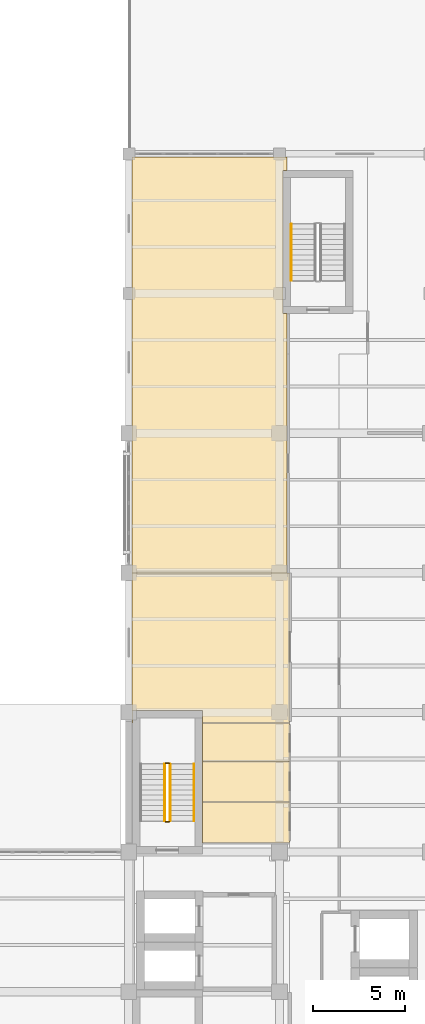
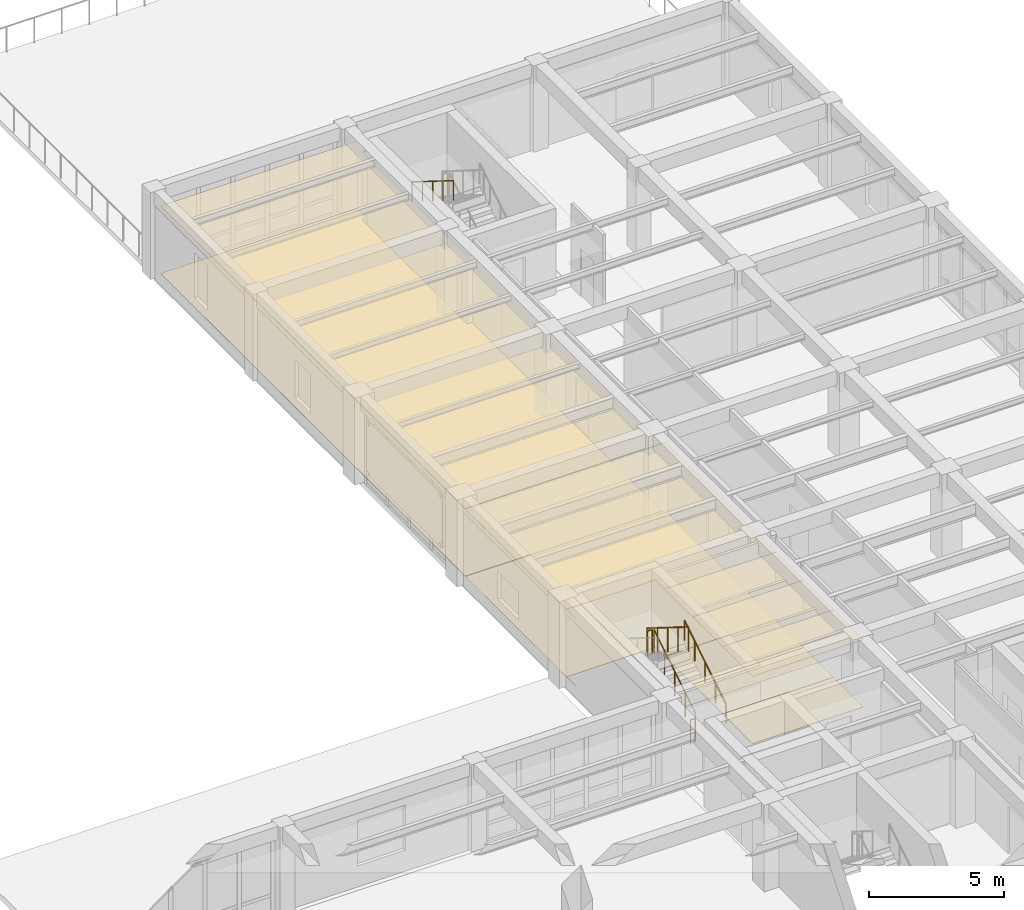
# One storey, part 20 of 22: 10 coverings, 6 railings.
"""IFC4 building model written with IfcOpenShell, lengths in metres."""

from ifc_helpers import new_model, si_unit, direction, frame, origin, origin_2d, place, context, subcontext, project, spatial, polyline, circle, outline, extrude, material, layer, layer_set, type_object, element, save


model = new_model("IFC4")

# Units and contexts
model_context = context("Model", 3, precision=1e-05, world=origin(), true_north=direction((0.0, 1.0)))
body_context = subcontext(model_context, "Body", "Model", "MODEL_VIEW")
ifc_project = project(units=[si_unit("LENGTHUNIT", "METRE"), si_unit("AREAUNIT", "SQUARE_METRE"), si_unit("VOLUMEUNIT", "CUBIC_METRE"), si_unit("PLANEANGLEUNIT", "RADIAN"), si_unit("MASSUNIT", "GRAM", prefix="KILO")], contexts=[model_context])

# Site, building, storey
site_placement = place(None, origin())
site = spatial("IfcSite", under=ifc_project, at=site_placement, CompositionType="ELEMENT")
building_placement = place(site_placement, origin())
building = spatial("IfcBuilding", under=site, at=building_placement, Name="Qandaris Square Conservatory and Botanical Centre", CompositionType="ELEMENT")
storey_placement = place(building_placement, frame((0.0, 0.0, 19.800048828125)))
storey = spatial("IfcBuildingStorey", under=building, at=storey_placement, Name="L04", CompositionType="ELEMENT", Elevation=19.800048828125)

# Coverings
ifc_material_1 = material(Name="Honed Qatari Limestone", Category="masonry")
ifc_layer_1 = layer(ifc_material_1, 0.030029296875)
ifc_layer_set_1 = layer_set([ifc_layer_1], Name="Honed Qatari Limestone")
covering_type_1 = type_object("IfcCoveringType", Name="Honed Qatari Limestone Concourse Paving", PredefinedType="FLOORING", material=ifc_layer_set_1)
covering_1_placement = place(storey_placement, origin())
element("IfcCovering", 1, at=covering_1_placement, inside=storey, type_object=covering_type_1, Name="Spore Viability Collaborative Seminar Room Flooring", PredefinedType="FLOORING", context=body_context, shape_type="SweptSolid", body=[
    extrude(outline(polyline([(147.800048828125, 76.5), (147.60009765625, 76.5), (147.60009765625, 68.699951171875), (147.800048828125, 68.699951171875), (147.800048828125, 54.60009765625), (139.3798828125, 54.60009765625), (139.3798828125, 77.219970703125), (147.800048828125, 77.219970703125), (147.800048828125, 76.5)])), origin(), (0.0, 0.0, 1.0), 0.030029296875),
])
ifc_material_2 = material(Name="Gypsum Plasterboard", Category="gypsum")
ifc_layer_2 = layer(ifc_material_2, 0.02490234375)
ifc_layer_set_2 = layer_set([ifc_layer_2], Name="Gypsum Plasterboard")
covering_type_2 = type_object("IfcCoveringType", Name="Perforated Acoustic Lab Ceiling Tile", PredefinedType="CEILING", material=ifc_layer_set_2)
covering_2_placement = place(storey_placement, frame((0.0, 0.0, 3.050048828125)))
element("IfcCovering", 2, at=covering_2_placement, inside=storey, type_object=covering_type_2, Name="Accessible Toilet L04 Ceiling", PredefinedType="CEILING", context=body_context, shape_type="SweptSolid", body=[
    extrude(outline(polyline([(147.949951171875, 42.1201171875), (147.949951171875, 39.89990234375), (143.199951171875, 39.89990234375), (143.199951171875, 42.1201171875), (147.949951171875, 42.1201171875)])), origin(), (0.0, 0.0, 1.0), 0.02490234375),
])
covering_3_placement = place(storey_placement, frame((0.0, 0.0, 3.050048828125)))
element("IfcCovering", 3, at=covering_3_placement, inside=storey, type_object=covering_type_2, Name="Staff Male Toilet L04 Ceiling", PredefinedType="CEILING", context=body_context, shape_type="SweptSolid", body=[
    extrude(outline(polyline([(147.949951171875, 44.340087890625), (147.949951171875, 42.1201171875), (143.199951171875, 42.1201171875), (143.199951171875, 44.340087890625), (147.949951171875, 44.340087890625)])), origin(), (0.0, 0.0, 1.0), 0.02490234375),
])
covering_4_placement = place(storey_placement, frame((0.0, 0.0, 3.050048828125)))
element("IfcCovering", 4, at=covering_4_placement, inside=storey, type_object=covering_type_2, Name="Staff Female Toilet L04 Ceiling", PredefinedType="CEILING", context=body_context, shape_type="SweptSolid", body=[
    extrude(outline(polyline([(147.949951171875, 46.419921875), (147.949951171875, 44.340087890625), (143.199951171875, 44.340087890625), (143.199951171875, 46.419921875), (147.949951171875, 46.419921875)])), origin(), (0.0, 0.0, 1.0), 0.02490234375),
])
covering_5_placement = place(storey_placement, frame((0.0, 0.0, 3.050048828125)))
element("IfcCovering", 5, at=covering_5_placement, inside=storey, type_object=covering_type_2, Name="Ethnobotany Herbarium Specimen Prep Room Ceiling", PredefinedType="CEILING", context=body_context, shape_type="SweptSolid", body=[
    extrude(outline(polyline([(147.949951171875, 46.419921875), (143.199951171875, 46.419921875), (143.199951171875, 47.10009765625), (139.39990234375, 47.10009765625), (139.39990234375, 46.419921875), (139.3798828125, 46.419921875), (139.3798828125, 54.60009765625), (147.949951171875, 54.60009765625), (147.949951171875, 46.419921875)])), origin(), (0.0, 0.0, 1.0), 0.02490234375),
])
ifc_material_3 = material(Name="Epoxy Resin Screed", Category="finish")
ifc_layer_3 = layer(ifc_material_3, 0.014892578125)
ifc_layer_set_3 = layer_set([ifc_layer_3], Name="Epoxy Resin Screed")
covering_type_3 = type_object("IfcCoveringType", Name="Seamless Epoxy Laboratory Flooring", PredefinedType="FLOORING", material=ifc_layer_set_3)
covering_6_placement = place(storey_placement, origin())
element("IfcCovering", 6, at=covering_6_placement, inside=storey, type_object=covering_type_3, Name="Accessible Toilet L04 Flooring", PredefinedType="FLOORING", context=body_context, shape_type="SweptSolid", body=[
    extrude(outline(polyline([(147.949951171875, 42.1201171875), (147.949951171875, 39.89990234375), (143.199951171875, 39.89990234375), (143.199951171875, 42.1201171875), (147.949951171875, 42.1201171875)])), origin(), (0.0, 0.0, 1.0), 0.014892578125),
])
covering_7_placement = place(storey_placement, origin())
element("IfcCovering", 7, at=covering_7_placement, inside=storey, type_object=covering_type_3, Name="Staff Male Toilet L04 Flooring", PredefinedType="FLOORING", context=body_context, shape_type="SweptSolid", body=[
    extrude(outline(polyline([(147.949951171875, 44.340087890625), (147.949951171875, 42.1201171875), (143.199951171875, 42.1201171875), (143.199951171875, 44.340087890625), (147.949951171875, 44.340087890625)])), origin(), (0.0, 0.0, 1.0), 0.014892578125),
])
covering_8_placement = place(storey_placement, origin())
element("IfcCovering", 8, at=covering_8_placement, inside=storey, type_object=covering_type_3, Name="Staff Female Toilet L04 Flooring", PredefinedType="FLOORING", context=body_context, shape_type="SweptSolid", body=[
    extrude(outline(polyline([(147.949951171875, 46.419921875), (147.949951171875, 44.340087890625), (143.199951171875, 44.340087890625), (143.199951171875, 46.419921875), (147.949951171875, 46.419921875)])), origin(), (0.0, 0.0, 1.0), 0.014892578125),
])
covering_9_placement = place(storey_placement, origin())
element("IfcCovering", 9, at=covering_9_placement, inside=storey, type_object=covering_type_3, Name="Ethnobotany Herbarium Specimen Prep Room Flooring", PredefinedType="FLOORING", context=body_context, shape_type="SweptSolid", body=[
    extrude(outline(polyline([(147.949951171875, 46.419921875), (143.199951171875, 46.419921875), (143.199951171875, 47.10009765625), (139.39990234375, 47.10009765625), (139.39990234375, 46.419921875), (139.3798828125, 46.419921875), (139.3798828125, 54.60009765625), (147.949951171875, 54.60009765625), (147.949951171875, 46.419921875)])), origin(), (0.0, 0.0, 1.0), 0.014892578125),
])
ifc_material_4 = material(Name="Engineered Oak Timber", Category="wood")
ifc_layer_4 = layer(ifc_material_4, 0.0400390625)
ifc_layer_set_4 = layer_set([ifc_layer_4], Name="Engineered Oak Timber")
covering_type_4 = type_object("IfcCoveringType", Name="Slatted Oak Acoustic Gallery Ceiling", PredefinedType="CEILING", material=ifc_layer_set_4)
covering_10_placement = place(storey_placement, frame((0.0, 0.0, 3.050048828125)))
element("IfcCovering", 10, at=covering_10_placement, inside=storey, type_object=covering_type_4, Name="Spore Viability Collaborative Seminar Room Ceiling", PredefinedType="CEILING", context=body_context, shape_type="SweptSolid", body=[
    extrude(outline(polyline([(147.800048828125, 76.5), (147.60009765625, 76.5), (147.60009765625, 68.699951171875), (147.800048828125, 68.699951171875), (147.800048828125, 54.60009765625), (139.3798828125, 54.60009765625), (139.3798828125, 77.219970703125), (147.800048828125, 77.219970703125), (147.800048828125, 76.5)])), origin(), (0.0, 0.0, 1.0), 0.039794921875),
])

# Railings
ifc_material_5 = material(Name="Stainless Steel", Category="steel")
railing_type_1 = type_object("IfcRailingType", Name="Stair Tubular Handrail 920mm", PredefinedType="HANDRAIL", material=ifc_material_5)
railing_1_placement = place(storey_placement, frame((142.75, 41.10009765625, 0.349853515625)))
element("IfcRailing", 11, at=railing_1_placement, inside=storey, type_object=railing_type_1, Name="L04 ST-2 stair handrail 1", PredefinedType="HANDRAIL", context=body_context, shape_type="SweptSolid", body=[
    extrude(circle(Radius=0.02392578125, at=origin_2d()), frame((0.0, 0.0, 0.89599609375), z_axis=(0.0, 0.847979421464, 0.530029150871), x_axis=(-1.0, 0.0, 0.0)), (0.0, 0.0, 1.0), 3.632080078125),
    extrude(circle(Radius=0.02099609375, at=origin_2d()), origin(), (0.0, 0.0, 1.0), 0.871826171875),
    extrude(circle(Radius=0.02099609375, at=origin_2d()), frame((0.0, 0.77001953125, 0.481201171875)), (0.0, 0.0, 1.0), 0.871826171875),
    extrude(circle(Radius=0.02099609375, at=origin_2d()), frame((0.0, 1.5400390625, 0.96240234375)), (0.0, 0.0, 1.0), 0.871826171875),
    extrude(circle(Radius=0.02099609375, at=origin_2d()), frame((0.0, 2.309814453125, 1.44384765625)), (0.0, 0.0, 1.0), 0.871826171875),
    extrude(circle(Radius=0.02099609375, at=origin_2d()), frame((0.0, 3.079833984375, 1.925048828125)), (0.0, 0.0, 1.0), 0.871826171875),
])
railing_2_placement = place(storey_placement, frame((148.050048828125, 73.580078125, 2.449951171875)))
element("IfcRailing", 12, at=railing_2_placement, inside=storey, type_object=railing_type_1, Name="L04 ST-3 stair handrail 2", PredefinedType="HANDRAIL", context=body_context, shape_type="SweptSolid", body=[
    extrude(circle(Radius=0.02392578125, at=origin_2d()), frame((0.0, 0.0, 0.89599609375), z_axis=(0.0, -0.847998304005, 0.529998940003), x_axis=(1.0, 0.0, 0.0)), (0.0, 0.0, 1.0), 3.632080078125),
    extrude(circle(Radius=0.02099609375, at=origin_2d()), origin(), (0.0, 0.0, 1.0), 0.871826171875),
    extrude(circle(Radius=0.02099609375, at=origin_2d()), frame((0.0, -0.77001953125, 0.481201171875)), (0.0, 0.0, 1.0), 0.871826171875),
    extrude(circle(Radius=0.02099609375, at=origin_2d()), frame((0.0, -1.5400390625, 0.96240234375)), (0.0, 0.0, 1.0), 0.871826171875),
    extrude(circle(Radius=0.02099609375, at=origin_2d()), frame((0.0, -2.31005859375, 1.44384765625)), (0.0, 0.0, 1.0), 0.871826171875),
    extrude(circle(Radius=0.02099609375, at=origin_2d()), frame((0.0, -3.080078125, 1.925048828125)), (0.0, 0.0, 1.0), 0.871826171875),
])
railing_type_2 = type_object("IfcRailingType", Name="Stairwell & Atrium Guardrail 1120mm", PredefinedType="GUARDRAIL", material=ifc_material_5)
railing_3_placement = place(storey_placement, frame((141.449951171875, 41.10009765625, 0.175048828125)))
element("IfcRailing", 13, at=railing_3_placement, inside=storey, type_object=railing_type_2, Name="L04 ST-2 stair guard 1", PredefinedType="GUARDRAIL", context=body_context, shape_type="SweptSolid", body=[
    extrude(circle(Radius=0.02392578125, at=origin_2d()), frame((0.0, 0.0, 1.09619140625), z_axis=(0.0, 0.848009633417, 0.529980812513), x_axis=(-1.0, 0.0, 0.0)), (0.0, 0.0, 1.0), 3.6318359375),
    extrude(circle(Radius=0.02099609375, at=origin_2d()), origin(), (0.0, 0.0, 1.0), 1.072021484375),
    extrude(circle(Radius=0.02099609375, at=origin_2d()), frame((0.0, 0.77001953125, 0.481201171875)), (0.0, 0.0, 1.0), 1.072021484375),
    extrude(circle(Radius=0.02099609375, at=origin_2d()), frame((0.0, 1.5400390625, 0.96240234375)), (0.0, 0.0, 1.0), 1.072021484375),
    extrude(circle(Radius=0.02099609375, at=origin_2d()), frame((0.0, 2.309814453125, 1.443603515625)), (0.0, 0.0, 1.0), 1.072021484375),
    extrude(circle(Radius=0.02099609375, at=origin_2d()), frame((0.0, 3.079833984375, 1.9248046875)), (0.0, 0.0, 1.0), 1.072021484375),
])
railing_4_placement = place(storey_placement, frame((141.39990234375, 44.22998046875, 2.099853515625)))
element("IfcRailing", 14, at=railing_4_placement, inside=storey, type_object=railing_type_2, Name="L04 ST-2 stair guard 2", PredefinedType="GUARDRAIL", context=body_context, shape_type="SweptSolid", body=[
    extrude(circle(Radius=0.02392578125, at=origin_2d()), frame((0.0, 0.0, 1.09619140625), z_axis=(-1.0, 0.0, 0.0), x_axis=(0.0, -1.0, 0.0)), (0.0, 0.0, 1.0), 0.199951171875),
    extrude(circle(Radius=0.02099609375, at=origin_2d()), origin(), (0.0, 0.0, 1.0), 1.072021484375),
    extrude(circle(Radius=0.02099609375, at=origin_2d()), frame((-0.199951171875, 0.0, 0.0)), (0.0, 0.0, 1.0), 1.072021484375),
])
railing_5_placement = place(storey_placement, frame((141.14990234375, 44.179931640625, 2.27490234375)))
element("IfcRailing", 15, at=railing_5_placement, inside=storey, type_object=railing_type_2, Name="L04 ST-2 stair guard 3", PredefinedType="GUARDRAIL", context=body_context, shape_type="SweptSolid", body=[
    extrude(circle(Radius=0.02392578125, at=origin_2d()), frame((0.0, 0.0, 1.09619140625), z_axis=(0.0, -0.847979421464, 0.530029150871), x_axis=(1.0, 0.0, 0.0)), (0.0, 0.0, 1.0), 3.632080078125),
    extrude(circle(Radius=0.02099609375, at=origin_2d()), origin(), (0.0, 0.0, 1.0), 1.072021484375),
    extrude(circle(Radius=0.02099609375, at=origin_2d()), frame((0.0, -0.77001953125, 0.481201171875)), (0.0, 0.0, 1.0), 1.072021484375),
    extrude(circle(Radius=0.02099609375, at=origin_2d()), frame((0.0, -1.5400390625, 0.96240234375)), (0.0, 0.0, 1.0), 1.072021484375),
    extrude(circle(Radius=0.02099609375, at=origin_2d()), frame((0.0, -2.309814453125, 1.44384765625)), (0.0, 0.0, 1.0), 1.072021484375),
    extrude(circle(Radius=0.02099609375, at=origin_2d()), frame((0.0, -3.079833984375, 1.925048828125)), (0.0, 0.0, 1.0), 1.072021484375),
])
railing_6_placement = place(storey_placement, frame((141.39990234375, 41.050048828125, 0.0)))
element("IfcRailing", 16, at=railing_6_placement, inside=storey, type_object=railing_type_2, Name="L04 ST-2 stair guard 4", PredefinedType="GUARDRAIL", context=body_context, shape_type="SweptSolid", body=[
    extrude(circle(Radius=0.02392578125, at=origin_2d()), frame((0.0, 0.0, 1.09619140625), z_axis=(-1.0, 0.0, 0.0), x_axis=(0.0, -1.0, 0.0)), (0.0, 0.0, 1.0), 0.199951171875),
    extrude(circle(Radius=0.02099609375, at=origin_2d()), origin(), (0.0, 0.0, 1.0), 1.072021484375),
    extrude(circle(Radius=0.02099609375, at=origin_2d()), frame((-0.199951171875, 0.0, 0.0)), (0.0, 0.0, 1.0), 1.072021484375),
])

save(model, "model.ifc")
